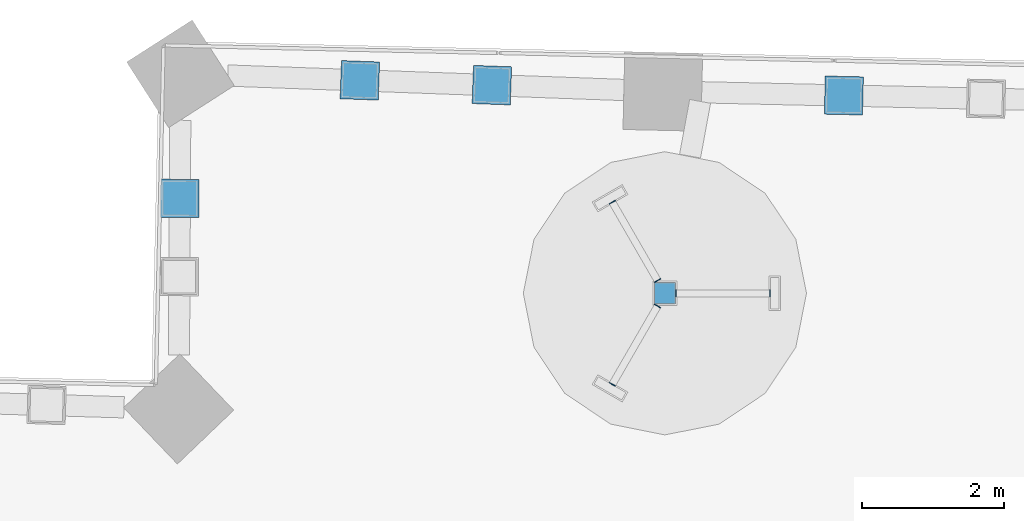
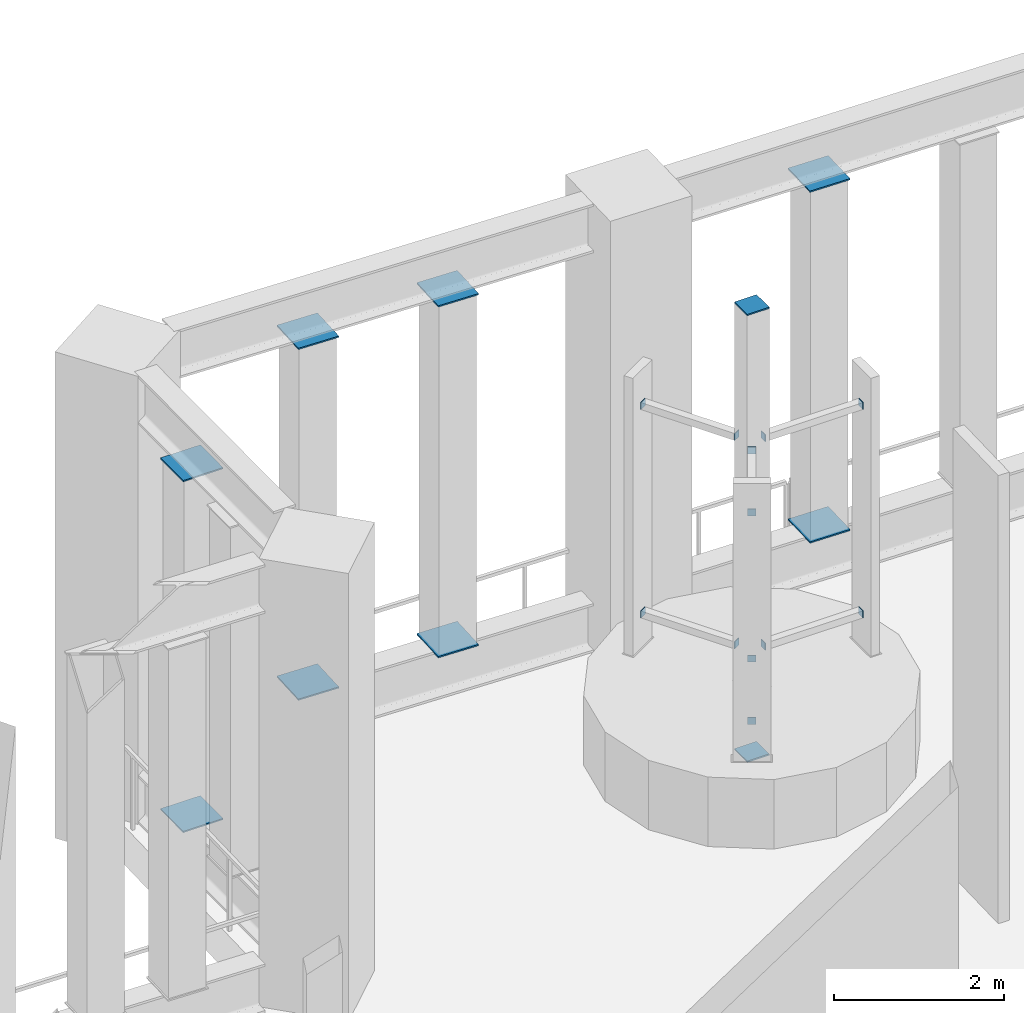
# One storey, part 22 of 33: 22 discrete accessories.
"""IFC4 building model written with IfcOpenShell, lengths in metres."""

from ifc_helpers import new_model, si_unit, direction, frame, origin, origin_2d, place, context, subcontext, project, spatial, rectangle, extrude, material, layer, layer_set, type_object, element, save


model = new_model("IFC4")

# Units and contexts
model_context = context("Model", 3, precision=1e-05, world=origin(), true_north=direction((0.0, 1.0)))
body_context = subcontext(model_context, "Body", "Model", "MODEL_VIEW")
ifc_project = project(units=[si_unit("LENGTHUNIT", "METRE"), si_unit("AREAUNIT", "SQUARE_METRE"), si_unit("VOLUMEUNIT", "CUBIC_METRE"), si_unit("PLANEANGLEUNIT", "RADIAN"), si_unit("MASSUNIT", "GRAM", prefix="KILO")], contexts=[model_context])

# Site, building, storey
site_placement = place(None, origin())
site = spatial("IfcSite", under=ifc_project, at=site_placement, CompositionType="ELEMENT")
building_placement = place(site_placement, origin())
building = spatial("IfcBuilding", under=site, at=building_placement, Name="Mangrove Gate Tower", CompositionType="ELEMENT")
storey_placement = place(building_placement, frame((0.0, 0.0, 219.5)))
storey = spatial("IfcBuildingStorey", under=building, at=storey_placement, Name="L56", CompositionType="ELEMENT", Elevation=219.5)

# Discrete accessories
ifc_material_1 = material(Name="Steel S355J2H", Category="steel")
ifc_layer_1 = layer(ifc_material_1, 0.010009765625)
ifc_layer_set_1 = layer_set([ifc_layer_1], Name="Arm end plate 100x100x10")
discrete_accessory_type_1 = type_object("IfcDiscreteAccessoryType", Name="Arm end plate 100x100x10", PredefinedType="ANCHORPLATE", material=ifc_layer_set_1)
for number, where, z_axis, x_axis, name in (
    (1, (-14.847900390625, 21.658935546875, 1.449951171875), (0.0, 0.0, 1.0), (1.0, 0.0, 0.0), "END PLATE ARM L56 1.1.1 MAST"),
    (2, (-13.51806640625, 21.658935546875, 1.449951171875), (0.0, 0.0, 1.0), (1.0, 0.0, 0.0), "END PLATE ARM L56 1.1.1 FIN"),
    (3, (-14.847900390625, 21.658935546875, 4.449951171875), (0.0, 0.0, 1.0), (1.0, 0.0, 0.0), "END PLATE ARM L56 1.1.2 MAST"),
    (4, (-13.51806640625, 21.658935546875, 4.449951171875), (0.0, 0.0, 1.0), (1.0, 0.0, 0.0), "END PLATE ARM L56 1.1.2 FIN"),
    (5, (-15.10693359375, 21.839111328125, 1.449951171875), (0.0, 0.0, 1.0), (-0.5, 0.866025403784, 0.0), "END PLATE ARM L56 1.2.1 MAST"),
    (6, (-15.7451171875, 22.945068359375, 1.449951171875), (0.0, 0.0, 1.0), (-0.5, 0.866025403784, 0.0), "END PLATE ARM L56 1.2.1 FIN"),
    (7, (-15.10693359375, 21.839111328125, 4.449951171875), (0.0, 0.0, 1.0), (-0.5, 0.866025403784, 0.0), "END PLATE ARM L56 1.2.2 MAST"),
    (8, (-15.7451171875, 22.945068359375, 4.449951171875), (0.0, 0.0, 1.0), (-0.5, 0.866025403784, 0.0), "END PLATE ARM L56 1.2.2 FIN"),
    (9, (-15.10693359375, 21.47900390625, 1.449951171875), (0.0, 0.0, 1.0), (-0.5, -0.866025403784, 0.0), "END PLATE ARM L56 1.3.1 MAST"),
    (10, (-15.7451171875, 20.373046875, 1.449951171875), (0.0, 0.0, 1.0), (-0.5, -0.866025403784, 0.0), "END PLATE ARM L56 1.3.1 FIN"),
    (11, (-15.10693359375, 21.47900390625, 4.449951171875), (0.0, 0.0, 1.0), (-0.5, -0.866025403784, 0.0), "END PLATE ARM L56 1.3.2 MAST"),
    (12, (-15.7451171875, 20.373046875, 4.449951171875), (0.0, 0.0, 1.0), (-0.5, -0.866025403784, 0.0), "END PLATE ARM L56 1.3.2 FIN"),
):
    element("IfcDiscreteAccessory", number, at=place(storey_placement, frame(where, z_axis=z_axis, x_axis=x_axis)), inside=storey, type_object=discrete_accessory_type_1, Name=name, PredefinedType="ANCHORPLATE", context=body_context, shape_type="SweptSolid", body=[
        extrude(rectangle(XDim=0.010009765625, YDim=0.10009765625, at=origin_2d()), origin(), (0.0, 0.0, 1.0), 0.10009765625),
    ])
ifc_material_2 = material(Name="Steel S355J2H", Category="steel")
ifc_layer_2 = layer(ifc_material_2, 0.02001953125)
ifc_layer_set_2 = layer_set([ifc_layer_2], Name="Belt truss end plate 540x540x20")
discrete_accessory_type_2 = type_object("IfcDiscreteAccessoryType", Name="Belt truss end plate 540x540x20", PredefinedType="ANCHORPLATE", material=ifc_layer_set_2)
for number, where, z_axis, x_axis, name in (
    (13, (-12.47509765625, 24.452392578125, 0.68994140625), (0.0, 0.0, 1.0), (-0.999744582204, 0.022600229076, 0.0), "Belt truss end plate L56 23-2 bottom"),
    (14, (-12.47509765625, 24.452392578125, 5.739990234375), (0.0, 0.0, 1.0), (-0.999744582204, 0.022600229076, 0.0), "Belt truss end plate L56 23-2 top"),
    (15, (-17.44677734375, 24.598388671875, 0.68994140625), (0.0, 0.0, 1.0), (-0.999333390876, 0.036507175749, 0.0), "Belt truss end plate L56 24-1 bottom"),
    (16, (-17.44677734375, 24.598388671875, 5.739990234375), (0.0, 0.0, 1.0), (-0.999333390876, 0.036507175749, 0.0), "Belt truss end plate L56 24-1 top"),
    (17, (-19.3115234375, 24.66650390625, 0.68994140625), (0.0, 0.0, 1.0), (-0.999333390876, 0.036507175749, 0.0), "Belt truss end plate L56 24-2 bottom"),
    (18, (-19.3115234375, 24.66650390625, 5.739990234375), (0.0, 0.0, 1.0), (-0.999333390876, 0.036507175749, 0.0), "Belt truss end plate L56 24-2 top"),
    (19, (-21.854736328125, 22.9990234375, 0.68994140625), (0.0, 0.0, 1.0), (-0.005475175228, -0.999985011116, 0.0), "Belt truss end plate L56 25-1 bottom"),
    (20, (-21.854736328125, 22.9990234375, 5.739990234375), (0.0, 0.0, 1.0), (-0.005475175228, -0.999985011116, 0.0), "Belt truss end plate L56 25-1 top"),
):
    element("IfcDiscreteAccessory", number, at=place(storey_placement, frame(where, z_axis=z_axis, x_axis=x_axis)), inside=storey, type_object=discrete_accessory_type_2, Name=name, PredefinedType="ANCHORPLATE", context=body_context, shape_type="SweptSolid", body=[
        extrude(rectangle(XDim=0.5400390625, YDim=0.5400390625, at=origin_2d()), origin(), (0.0, 0.0, 1.0), 0.02001953125),
    ])
ifc_material_3 = material(Name="Steel S355J2H", Category="steel")
ifc_layer_3 = layer(ifc_material_3, 0.02001953125)
ifc_layer_set_3 = layer_set([ifc_layer_3], Name="Mast end plate 300x300x20")
discrete_accessory_type_3 = type_object("IfcDiscreteAccessoryType", Name="Mast end plate 300x300x20", PredefinedType="ANCHORPLATE", material=ifc_layer_set_3)
for number, where, z_axis, x_axis, name in (
    (21, (-15.0029296875, 21.658935546875, 0.0), (0.0, 0.0, 1.0), (1.0, 0.0, 0.0), "END PLATE MAST L56 1 FOOT"),
    (22, (-15.0029296875, 21.658935546875, 6.429931640625), (0.0, 0.0, 1.0), (1.0, 0.0, 0.0), "END PLATE MAST L56 1 HEAD"),
):
    element("IfcDiscreteAccessory", number, at=place(storey_placement, frame(where, z_axis=z_axis, x_axis=x_axis)), inside=storey, type_object=discrete_accessory_type_3, Name=name, PredefinedType="ANCHORPLATE", context=body_context, shape_type="SweptSolid", body=[
        extrude(rectangle(XDim=0.300048828125, YDim=0.300048828125, at=origin_2d()), origin(), (0.0, 0.0, 1.0), 0.02001953125),
    ])

save(model, "model.ifc")
